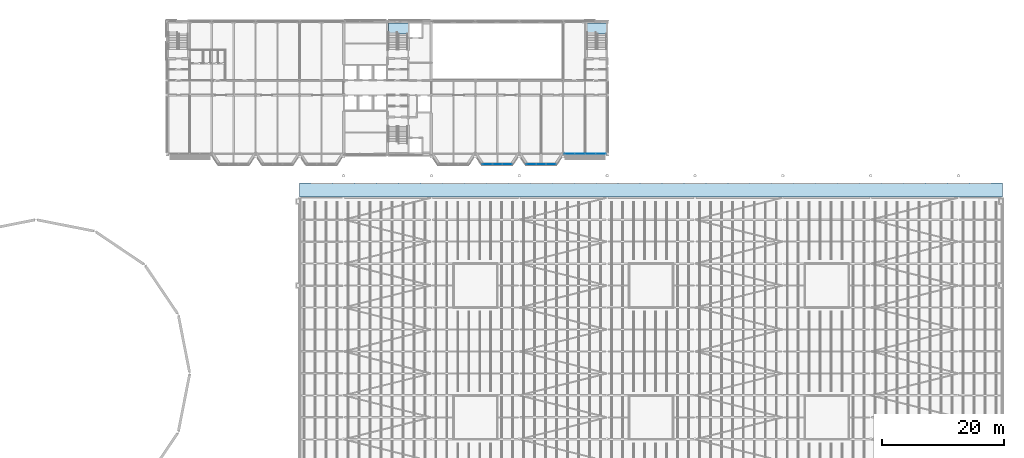
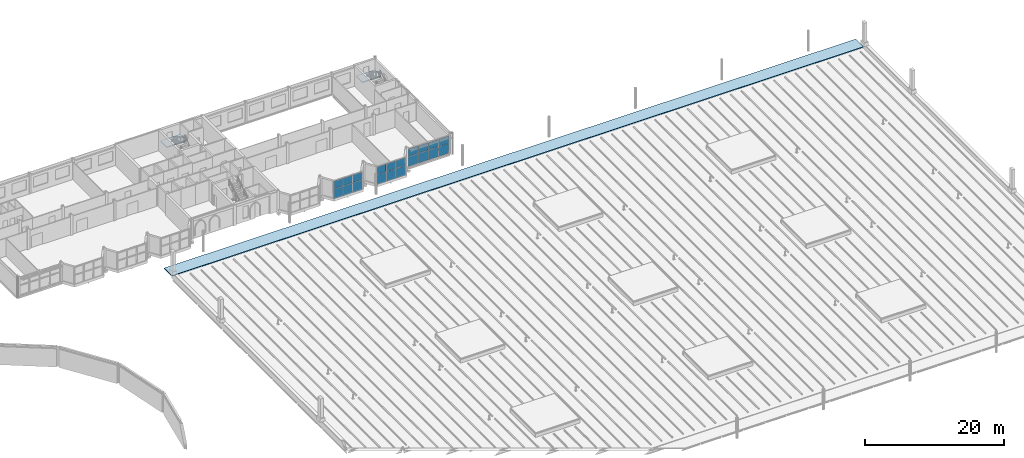
# One storey, part 59 of 120: 20 plates, 3 slabs, 5 elements without a shape of their own.
"""IFC4 building model written with IfcOpenShell, lengths in metres."""

import ifcopenshell
import ifcopenshell.guid

model = None  # the IFC model being written
_history = None  # IfcOwnerHistory: only IFC2X3 demands one
_inside = {}  # id of a spatial element -> (the spatial element, [elements in it])
_under = {}  # id of a project, library or spatial element -> (it, [spatial elements below it])
_declared = {}  # id of a project -> (the project, [libraries it declares])
_typed = {}  # id of a type object -> (the type object, [elements of that type])
_made_of = {}  # id of a material, layer set ... -> (it, [elements and type objects made of it])


def new_model(schema):
    """Start an empty IFC model of exactly this schema.

    Asked for "IFC4X3", IfcOpenShell would pick the latest addendum, in which some entities
    have other attributes; the version numbers below select the first issue.
    IFC2X3 requires an IfcOwnerHistory on every rooted entity: one is made here for all.
    """
    global model, _history
    if schema == "IFC4X3":
        model = ifcopenshell.file(schema_version=(4, 3, 0, 0))
    else:
        model = ifcopenshell.file(schema=schema)
    _inside.clear()
    _under.clear()
    _declared.clear()
    _typed.clear()
    _made_of.clear()
    _history = None
    if model.schema == "IFC2X3":
        org = make("IfcOrganization", Name="unknown")
        user = make(
            "IfcPersonAndOrganization",
            ThePerson=make("IfcPerson", FamilyName="unknown"),
            TheOrganization=org,
        )
        app = make(
            "IfcApplication",
            ApplicationDeveloper=org,
            Version="unknown",
            ApplicationFullName="unknown",
            ApplicationIdentifier="unknown",
        )
        _history = make(
            "IfcOwnerHistory",
            OwningUser=user,
            OwningApplication=app,
            ChangeAction="ADDED",
            CreationDate=0,
        )
    return model


def make(cls, **values):
    """One entity of the class cls with the attributes given. An attribute that is None is left unset."""
    return model.create_entity(
        cls, **{name: value for name, value in values.items() if value is not None}
    )


def rooted(cls, **values):
    """An entity with a GlobalId (a new one), such as an element, a storey or a relation."""
    return make(cls, GlobalId=ifcopenshell.guid.new(), OwnerHistory=_history, **values)


def si_unit(unit_type, name, prefix=None):
    """IfcSIUnit, for example si_unit("LENGTHUNIT", "METRE", prefix="MILLI")."""
    return make("IfcSIUnit", UnitType=unit_type, Prefix=prefix, Name=name)


def assignment(units):
    """IfcUnitAssignment: the units of a project."""
    return None if units is None else make("IfcUnitAssignment", Units=units)


def point(xyz):
    """IfcCartesianPoint."""
    return None if xyz is None else make("IfcCartesianPoint", Coordinates=xyz)


def direction(xyz):
    """IfcDirection."""
    return None if xyz is None else make("IfcDirection", DirectionRatios=xyz)


def frame(location, z_axis=None, x_axis=None):
    """IfcAxis2Placement3D, a coordinate frame: its origin and axes. An axis left out is left unset."""
    return make(
        "IfcAxis2Placement3D",
        Location=point(location),
        Axis=direction(z_axis),
        RefDirection=direction(x_axis),
    )


def frame_2d(location, x_axis=None):
    """IfcAxis2Placement2D, a coordinate frame in the plane: its origin and x axis."""
    return make(
        "IfcAxis2Placement2D", Location=point(location), RefDirection=direction(x_axis)
    )


def origin():
    """The frame at (0, 0, 0) with its axes left unset."""
    return frame((0.0, 0.0, 0.0))


def origin_2d():
    """The frame at (0, 0) in the plane with its x axis left unset."""
    return frame_2d((0.0, 0.0))


def place(relative_to, where):
    """IfcLocalPlacement: puts the frame where relative to a parent placement (None: the world)."""
    return make(
        "IfcLocalPlacement", PlacementRelTo=relative_to, RelativePlacement=where
    )


def context(
    kind, dimensions, precision=None, world=None, true_north=None, identifier=None
):
    """IfcGeometricRepresentationContext, for example the 3D "Model" context."""
    return make(
        "IfcGeometricRepresentationContext",
        ContextIdentifier=identifier,
        ContextType=kind,
        CoordinateSpaceDimension=dimensions,
        Precision=precision,
        WorldCoordinateSystem=world,
        TrueNorth=true_north,
    )


def subcontext(parent, identifier, kind, view, scale=None):
    """IfcGeometricRepresentationSubContext, for example "Body" below "Model"."""
    return make(
        "IfcGeometricRepresentationSubContext",
        ContextIdentifier=identifier,
        ContextType=kind,
        ParentContext=parent,
        TargetScale=scale,
        TargetView=view,
    )


def project(units=None, contexts=None):
    """IfcProject with its units and contexts."""
    return rooted(
        "IfcProject",
        Name="project",
        RepresentationContexts=contexts,
        UnitsInContext=assignment(units),
    )


def spatial(cls, under=None, at=None, **own):
    """A site, building, storey or space (cls), placed at a placement, below another one or the project."""
    s = rooted(cls, ObjectPlacement=at, **own)
    if under is not None:
        _under.setdefault(under.id(), (under, []))[1].append(s)
    return s


def polyline(points):
    """IfcPolyline through the points."""
    return make("IfcPolyline", Points=[point(p) for p in points])


def profile(cls, at=None, kind="AREA", **sizes):
    """A parametric profile (cls). Its sizes go by their IFC names, for example OverallWidth=200.0."""
    return make(cls, ProfileType=kind, Position=at, **sizes)


def rectangle(**sizes):
    """IfcRectangleProfileDef."""
    return profile("IfcRectangleProfileDef", **sizes)


def outline(outer, holes=None, kind="AREA"):
    """IfcArbitraryClosedProfileDef: a profile drawn as a closed curve; with holes, ...WithVoids."""
    if holes is None:
        return make("IfcArbitraryClosedProfileDef", ProfileType=kind, OuterCurve=outer)
    return make(
        "IfcArbitraryProfileDefWithVoids",
        ProfileType=kind,
        OuterCurve=outer,
        InnerCurves=holes,
    )


def extrude(swept, where, along, depth):
    """IfcExtrudedAreaSolid: the profile swept, set in the frame where, extruded along a direction by depth."""
    return make(
        "IfcExtrudedAreaSolid",
        SweptArea=swept,
        Position=where,
        ExtrudedDirection=direction(along),
        Depth=depth,
    )


def shape(context_of_items, identifier, shape_type, items):
    """IfcShapeRepresentation: the items that make up one representation, for example the "Body"."""
    return make(
        "IfcShapeRepresentation",
        ContextOfItems=context_of_items,
        RepresentationIdentifier=identifier,
        RepresentationType=shape_type,
        Items=items,
    )


def material(Name=None, Category=None):
    """IfcMaterial."""
    return make("IfcMaterial", Name=Name, Category=Category)


def layer(
    of_material, thickness, ventilated=None, Name=None, Category=None, Priority=None
):
    """IfcMaterialLayer: one layer of a wall or slab, of a material (None: an air gap)."""
    return make(
        "IfcMaterialLayer",
        Material=of_material,
        LayerThickness=thickness,
        IsVentilated=ventilated,
        Name=Name,
        Category=Category,
        Priority=Priority,
    )


def layer_set(layers, Name=None):
    """IfcMaterialLayerSet."""
    return make("IfcMaterialLayerSet", MaterialLayers=layers, LayerSetName=Name)


def made_of(thing, what):
    """Note that an element or type object is made of a material, layer set ...; save() writes the relation."""
    if what is not None:
        _made_of.setdefault(what.id(), (what, []))[1].append(thing)
    return thing


def type_object(cls, material=None, **own):
    """A type object (cls), such as IfcWallType, which elements share."""
    return made_of(rooted(cls, **own), material)


def element(
    cls,
    number,
    at=None,
    inside=None,
    cuts=None,
    type_object=None,
    material=None,
    context=None,
    identifier="Body",
    shape_type=None,
    held_by="IfcProductDefinitionShape",
    body=None,
    shapes=None,
    **own,
):
    """One element of the class cls, such as IfcWall. Its Tag is "e" and its number.

    at: its placement. inside: the storey or other place that contains it. cuts: it is an
    opening in that element (IfcRelVoidsElement). A single representation is given by context,
    identifier, shape_type and body (its items); several are given by shapes. held_by: the class
    of the entity that holds the representations. save() writes the other relations.
    """
    e = rooted(cls, Tag="e%d" % number, ObjectPlacement=at, **own)
    if body is not None:
        shapes = [shape(context, identifier, shape_type, body)]
    if shapes is not None:
        e.Representation = make(held_by, Representations=shapes)
    if inside is not None:
        _inside.setdefault(inside.id(), (inside, []))[1].append(e)
    if cuts is not None:
        rooted(
            "IfcRelVoidsElement", RelatingBuildingElement=cuts, RelatedOpeningElement=e
        )
    if type_object is not None:
        _typed.setdefault(type_object.id(), (type_object, []))[1].append(e)
    return made_of(e, material)


def aggregate(whole, parts):
    """IfcRelAggregates: a whole, such as a stair, and the parts it consists of."""
    return rooted("IfcRelAggregates", RelatingObject=whole, RelatedObjects=parts)


def save(model, path):
    """Write the relations noted so far, then the file.

    IfcRelAggregates (storeys below a building ...), IfcRelContainedInSpatialStructure (elements
    in a storey), IfcRelDefinesByType, IfcRelAssociatesMaterial and IfcRelDeclares: one each for
    every whole, place, type object, material and project.
    """
    for whole, parts in _under.values():
        aggregate(whole, parts)
    for where, things in _inside.values():
        rooted(
            "IfcRelContainedInSpatialStructure",
            RelatedElements=things,
            RelatingStructure=where,
        )
    for kind, things in _typed.values():
        rooted("IfcRelDefinesByType", RelatedObjects=things, RelatingType=kind)
    for what, things in _made_of.values():
        rooted("IfcRelAssociatesMaterial", RelatedObjects=things, RelatingMaterial=what)
    for by, libraries in _declared.values():
        rooted("IfcRelDeclares", RelatingContext=by, RelatedDefinitions=libraries)
    model.write(path)


model = new_model("IFC4")

# Units and contexts
model_context = context("Model", 3, precision=1e-05, world=origin(), true_north=direction((0.0, 1.0)))
body_context = subcontext(model_context, "Body", "Model", "MODEL_VIEW")
ifc_project = project(units=[si_unit("LENGTHUNIT", "METRE"), si_unit("AREAUNIT", "SQUARE_METRE"), si_unit("VOLUMEUNIT", "CUBIC_METRE"), si_unit("PLANEANGLEUNIT", "RADIAN"), si_unit("MASSUNIT", "GRAM", prefix="KILO")], contexts=[model_context])

# Site, building, storey
site_placement = place(None, origin())
site = spatial("IfcSite", under=ifc_project, at=site_placement, CompositionType="ELEMENT")
building_placement = place(site_placement, origin())
building = spatial("IfcBuilding", under=site, at=building_placement, Name="Kupolbacken Congress Centre", CompositionType="ELEMENT")
storey_placement = place(building_placement, frame((0.0, 0.0, 21.60009765625)))
storey = spatial("IfcBuildingStorey", under=building, at=storey_placement, Name="L06", CompositionType="ELEMENT", Elevation=21.60009765625)

# Curtain wall, plates
ifc_material_1 = material(Name="Aluminium mullion-transom frame with glass", Category="aluminium")
curtain_wall_type = type_object("IfcCurtainWallType", Name="CW1 curtain wall 7200x3600", PredefinedType="NOTDEFINED", material=ifc_material_1)
curtain_wall_1_placement = place(storey_placement, origin())
curtain_wall_1 = element("IfcCurtainWall", 1, at=curtain_wall_1_placement, inside=storey, type_object=curtain_wall_type, Name="E/T/S/L06/095/g0", PredefinedType="NOTDEFINED")
ifc_material_2 = material(Name="Glass", Category="glass")
ifc_layer_1 = layer(ifc_material_2, 0.035888671875)
ifc_layer_set_1 = layer_set([ifc_layer_1], Name="Glass")
plate_type = type_object("IfcPlateType", Name="GL2 glass panel 36", PredefinedType="CURTAIN_PANEL", material=ifc_layer_set_1)
plate_1_placement = place(storey_placement, frame((130.628173828125, 122.39990234375, 0.0498046875), z_axis=(0.0, 0.0, 1.0), x_axis=(1.0, 0.0, 0.0)))
plate_1 = element("IfcPlate", 2, at=plate_1_placement, type_object=plate_type, Name="CW1 panel 1.1", PredefinedType="CURTAIN_PANEL", context=body_context, shape_type="SweptSolid", body=[
    extrude(rectangle(XDim=1.649169921875, YDim=0.035888671875, at=origin_2d()), origin(), (0.0, 0.0, 1.0), 1.72509765625),
])
plate_2_placement = place(storey_placement, frame((130.628173828125, 122.39990234375, 1.82470703125), z_axis=(0.0, 0.0, 1.0), x_axis=(1.0, 0.0, 0.0)))
plate_2 = element("IfcPlate", 3, at=plate_2_placement, type_object=plate_type, Name="CW1 panel 1.2", PredefinedType="CURTAIN_PANEL", context=body_context, shape_type="SweptSolid", body=[
    extrude(rectangle(XDim=1.649169921875, YDim=0.035888671875, at=origin_2d()), origin(), (0.0, 0.0, 1.0), 1.284912109375),
])
plate_3_placement = place(storey_placement, frame((132.339599609375, 122.39990234375, 0.0498046875), z_axis=(0.0, 0.0, 1.0), x_axis=(1.0, 0.0, 0.0)))
plate_3 = element("IfcPlate", 4, at=plate_3_placement, type_object=plate_type, Name="CW1 panel 2.1", PredefinedType="CURTAIN_PANEL", context=body_context, shape_type="SweptSolid", body=[
    extrude(rectangle(XDim=1.674072265625, YDim=0.035888671875, at=origin_2d()), origin(), (0.0, 0.0, 1.0), 1.72509765625),
])
plate_4_placement = place(storey_placement, frame((132.339599609375, 122.39990234375, 1.82470703125), z_axis=(0.0, 0.0, 1.0), x_axis=(1.0, 0.0, 0.0)))
plate_4 = element("IfcPlate", 5, at=plate_4_placement, type_object=plate_type, Name="CW1 panel 2.2", PredefinedType="CURTAIN_PANEL", context=body_context, shape_type="SweptSolid", body=[
    extrude(rectangle(XDim=1.674072265625, YDim=0.035888671875, at=origin_2d()), origin(), (0.0, 0.0, 1.0), 1.284912109375),
])
plate_5_placement = place(storey_placement, frame((134.063720703125, 122.39990234375, 0.0498046875), z_axis=(0.0, 0.0, 1.0), x_axis=(1.0, 0.0, 0.0)))
plate_5 = element("IfcPlate", 6, at=plate_5_placement, type_object=plate_type, Name="CW1 panel 3.1", PredefinedType="CURTAIN_PANEL", context=body_context, shape_type="SweptSolid", body=[
    extrude(rectangle(XDim=1.674072265625, YDim=0.035888671875, at=origin_2d()), origin(), (0.0, 0.0, 1.0), 1.72509765625),
])
plate_6_placement = place(storey_placement, frame((134.063720703125, 122.39990234375, 1.82470703125), z_axis=(0.0, 0.0, 1.0), x_axis=(1.0, 0.0, 0.0)))
plate_6 = element("IfcPlate", 7, at=plate_6_placement, type_object=plate_type, Name="CW1 panel 3.2", PredefinedType="CURTAIN_PANEL", context=body_context, shape_type="SweptSolid", body=[
    extrude(rectangle(XDim=1.674072265625, YDim=0.035888671875, at=origin_2d()), origin(), (0.0, 0.0, 1.0), 1.284912109375),
])
plate_7_placement = place(storey_placement, frame((135.775390625, 122.39990234375, 0.0498046875), z_axis=(0.0, 0.0, 1.0), x_axis=(1.0, 0.0, 0.0)))
plate_7 = element("IfcPlate", 8, at=plate_7_placement, type_object=plate_type, Name="CW1 panel 4.1", PredefinedType="CURTAIN_PANEL", context=body_context, shape_type="SweptSolid", body=[
    extrude(rectangle(XDim=1.649169921875, YDim=0.035888671875, at=origin_2d()), origin(), (0.0, 0.0, 1.0), 1.72509765625),
])
plate_8_placement = place(storey_placement, frame((135.775390625, 122.39990234375, 1.82470703125), z_axis=(0.0, 0.0, 1.0), x_axis=(1.0, 0.0, 0.0)))
plate_8 = element("IfcPlate", 9, at=plate_8_placement, type_object=plate_type, Name="CW1 panel 4.2", PredefinedType="CURTAIN_PANEL", context=body_context, shape_type="SweptSolid", body=[
    extrude(rectangle(XDim=1.649169921875, YDim=0.035888671875, at=origin_2d()), origin(), (0.0, 0.0, 1.0), 1.284912109375),
])
aggregate(curtain_wall_1, [plate_1, plate_2, plate_3, plate_4, plate_5, plate_6, plate_7, plate_8])

curtain_wall_2_placement = place(storey_placement, origin())
curtain_wall_2 = element("IfcCurtainWall", 10, at=curtain_wall_2_placement, inside=storey, type_object=curtain_wall_type, Name="E/T/cumba/L06/S/018/cw", PredefinedType="NOTDEFINED")
plate_9_placement = place(storey_placement, frame((117.21240234375, 120.699951171875, 0.0498046875), z_axis=(0.0, 0.0, 1.0), x_axis=(1.0, 0.0, 0.0)))
plate_9 = element("IfcPlate", 11, at=plate_9_placement, type_object=plate_type, Name="CW1 panel 1.1", PredefinedType="CURTAIN_PANEL", context=body_context, shape_type="SweptSolid", body=[
    extrude(rectangle(XDim=1.52490234375, YDim=0.035888671875, at=origin_2d()), origin(), (0.0, 0.0, 1.0), 1.72509765625),
])
plate_10_placement = place(storey_placement, frame((117.21240234375, 120.699951171875, 1.82470703125), z_axis=(0.0, 0.0, 1.0), x_axis=(1.0, 0.0, 0.0)))
plate_10 = element("IfcPlate", 12, at=plate_10_placement, type_object=plate_type, Name="CW1 panel 1.2", PredefinedType="CURTAIN_PANEL", context=body_context, shape_type="SweptSolid", body=[
    extrude(rectangle(XDim=1.52490234375, YDim=0.035888671875, at=origin_2d()), origin(), (0.0, 0.0, 1.0), 1.344970703125),
])
plate_11_placement = place(storey_placement, frame((118.800048828125, 120.699951171875, 0.0498046875), z_axis=(0.0, 0.0, 1.0), x_axis=(1.0, 0.0, 0.0)))
plate_11 = element("IfcPlate", 13, at=plate_11_placement, type_object=plate_type, Name="CW1 panel 2.1", PredefinedType="CURTAIN_PANEL", context=body_context, shape_type="SweptSolid", body=[
    extrude(rectangle(XDim=1.550048828125, YDim=0.035888671875, at=origin_2d()), origin(), (0.0, 0.0, 1.0), 1.72509765625),
])
plate_12_placement = place(storey_placement, frame((118.800048828125, 120.699951171875, 1.82470703125), z_axis=(0.0, 0.0, 1.0), x_axis=(1.0, 0.0, 0.0)))
plate_12 = element("IfcPlate", 14, at=plate_12_placement, type_object=plate_type, Name="CW1 panel 2.2", PredefinedType="CURTAIN_PANEL", context=body_context, shape_type="SweptSolid", body=[
    extrude(rectangle(XDim=1.550048828125, YDim=0.035888671875, at=origin_2d()), origin(), (0.0, 0.0, 1.0), 1.344970703125),
])
plate_13_placement = place(storey_placement, frame((120.387451171875, 120.699951171875, 0.0498046875), z_axis=(0.0, 0.0, 1.0), x_axis=(1.0, 0.0, 0.0)))
plate_13 = element("IfcPlate", 15, at=plate_13_placement, type_object=plate_type, Name="CW1 panel 3.1", PredefinedType="CURTAIN_PANEL", context=body_context, shape_type="SweptSolid", body=[
    extrude(rectangle(XDim=1.52490234375, YDim=0.035888671875, at=origin_2d()), origin(), (0.0, 0.0, 1.0), 1.72509765625),
])
plate_14_placement = place(storey_placement, frame((120.387451171875, 120.699951171875, 1.82470703125), z_axis=(0.0, 0.0, 1.0), x_axis=(1.0, 0.0, 0.0)))
plate_14 = element("IfcPlate", 16, at=plate_14_placement, type_object=plate_type, Name="CW1 panel 3.2", PredefinedType="CURTAIN_PANEL", context=body_context, shape_type="SweptSolid", body=[
    extrude(rectangle(XDim=1.52490234375, YDim=0.035888671875, at=origin_2d()), origin(), (0.0, 0.0, 1.0), 1.344970703125),
])
aggregate(curtain_wall_2, [plate_9, plate_10, plate_11, plate_12, plate_13, plate_14])

curtain_wall_3_placement = place(storey_placement, origin())
curtain_wall_3 = element("IfcCurtainWall", 17, at=curtain_wall_3_placement, inside=storey, type_object=curtain_wall_type, Name="E/T/cumba/L06/S/022/cw", PredefinedType="NOTDEFINED")
plate_15_placement = place(storey_placement, frame((124.41259765625, 120.699951171875, 0.0498046875), z_axis=(0.0, 0.0, 1.0), x_axis=(1.0, 0.0, 0.0)))
plate_15 = element("IfcPlate", 18, at=plate_15_placement, type_object=plate_type, Name="CW1 panel 1.1", PredefinedType="CURTAIN_PANEL", context=body_context, shape_type="SweptSolid", body=[
    extrude(rectangle(XDim=1.52490234375, YDim=0.035888671875, at=origin_2d()), origin(), (0.0, 0.0, 1.0), 1.72509765625),
])
plate_16_placement = place(storey_placement, frame((124.41259765625, 120.699951171875, 1.82470703125), z_axis=(0.0, 0.0, 1.0), x_axis=(1.0, 0.0, 0.0)))
plate_16 = element("IfcPlate", 19, at=plate_16_placement, type_object=plate_type, Name="CW1 panel 1.2", PredefinedType="CURTAIN_PANEL", context=body_context, shape_type="SweptSolid", body=[
    extrude(rectangle(XDim=1.52490234375, YDim=0.035888671875, at=origin_2d()), origin(), (0.0, 0.0, 1.0), 1.344970703125),
])
plate_17_placement = place(storey_placement, frame((126.0, 120.699951171875, 0.0498046875), z_axis=(0.0, 0.0, 1.0), x_axis=(1.0, 0.0, 0.0)))
plate_17 = element("IfcPlate", 20, at=plate_17_placement, type_object=plate_type, Name="CW1 panel 2.1", PredefinedType="CURTAIN_PANEL", context=body_context, shape_type="SweptSolid", body=[
    extrude(rectangle(XDim=1.550048828125, YDim=0.035888671875, at=origin_2d()), origin(), (0.0, 0.0, 1.0), 1.72509765625),
])
plate_18_placement = place(storey_placement, frame((126.0, 120.699951171875, 1.82470703125), z_axis=(0.0, 0.0, 1.0), x_axis=(1.0, 0.0, 0.0)))
plate_18 = element("IfcPlate", 21, at=plate_18_placement, type_object=plate_type, Name="CW1 panel 2.2", PredefinedType="CURTAIN_PANEL", context=body_context, shape_type="SweptSolid", body=[
    extrude(rectangle(XDim=1.550048828125, YDim=0.035888671875, at=origin_2d()), origin(), (0.0, 0.0, 1.0), 1.344970703125),
])
plate_19_placement = place(storey_placement, frame((127.58740234375, 120.699951171875, 0.0498046875), z_axis=(0.0, 0.0, 1.0), x_axis=(1.0, 0.0, 0.0)))
plate_19 = element("IfcPlate", 22, at=plate_19_placement, type_object=plate_type, Name="CW1 panel 3.1", PredefinedType="CURTAIN_PANEL", context=body_context, shape_type="SweptSolid", body=[
    extrude(rectangle(XDim=1.52490234375, YDim=0.035888671875, at=origin_2d()), origin(), (0.0, 0.0, 1.0), 1.72509765625),
])
plate_20_placement = place(storey_placement, frame((127.58740234375, 120.699951171875, 1.82470703125), z_axis=(0.0, 0.0, 1.0), x_axis=(1.0, 0.0, 0.0)))
plate_20 = element("IfcPlate", 23, at=plate_20_placement, type_object=plate_type, Name="CW1 panel 3.2", PredefinedType="CURTAIN_PANEL", context=body_context, shape_type="SweptSolid", body=[
    extrude(rectangle(XDim=1.52490234375, YDim=0.035888671875, at=origin_2d()), origin(), (0.0, 0.0, 1.0), 1.344970703125),
])
aggregate(curtain_wall_3, [plate_15, plate_16, plate_17, plate_18, plate_19, plate_20])

# Slab
ifc_material_3 = material(Name="Concrete C30/37", Category="concrete")
ifc_layer_2 = layer(ifc_material_3, 0.06005859375)
ifc_material_4 = material(Name="Steel S350 profiled deck", Category="steel")
ifc_layer_3 = layer(ifc_material_4, 0.06005859375)
ifc_layer_set_2 = layer_set([ifc_layer_2, ifc_layer_3], Name="Concrete C30/37 / Steel S350 profiled deck")
slab_type_1 = type_object("IfcSlabType", Name="RS1 slab 120", PredefinedType="ROOF", material=ifc_layer_set_2)
slab_1_placement = place(storey_placement, frame((0.0, 0.0, 0.169921875)))
element("IfcSlab", 24, at=slab_1_placement, inside=storey, type_object=slab_type_1, Name="HE/Nslab", PredefinedType="ROOF", context=body_context, shape_type="SweptSolid", body=[
    extrude(outline(polyline([(86.39990234375, 115.35009765625), (201.60009765625, 115.35009765625), (201.60009765625, 117.60009765625), (86.39990234375, 117.60009765625), (86.39990234375, 115.35009765625)])), origin(), (0.0, 0.0, 1.0), 0.119873046875),
])

# Stair, slab
ifc_material_5 = material(Name="Steel S355", Category="steel")
stair_type = type_object("IfcStairType", Name="ST2 stair 1500", PredefinedType="TWO_STRAIGHT_RUN_STAIR", material=ifc_material_5)
stair_1_placement = place(storey_placement, origin())
stair_1 = element("IfcStair", 25, at=stair_1_placement, inside=storey, type_object=stair_type, Name="C/stair/TS2/L06", PredefinedType="NOTDEFINED")
ifc_material_6 = material(Name="Concrete C30/37 precast", Category="concrete")
ifc_layer_4 = layer(ifc_material_6, 0.175048828125)
ifc_layer_set_3 = layer_set([ifc_layer_4], Name="Concrete C30/37 precast")
slab_type_2 = type_object("IfcSlabType", Name="SL1 slab 175", PredefinedType="LANDING", material=ifc_layer_set_3)
slab_2_placement = place(storey_placement, frame((0.0, 0.0, 1.539306640625)))
slab_2 = element("IfcSlab", 26, at=slab_2_placement, type_object=slab_type_2, Name="TS2 landing 1", PredefinedType="LANDING", context=body_context, shape_type="SweptSolid", body=[
    extrude(outline(polyline([(100.955078125, 142.02001953125), (104.219970703125, 142.02001953125), (104.219970703125, 143.844970703125), (100.955078125, 143.844970703125), (100.955078125, 142.02001953125)])), origin(), (0.0, 0.0, 1.0), 0.1748046875),
])
aggregate(stair_1, [slab_2])

stair_2_placement = place(storey_placement, origin())
stair_2 = element("IfcStair", 27, at=stair_2_placement, inside=storey, type_object=stair_type, Name="C/stair/TS4/L06", PredefinedType="NOTDEFINED")
slab_3_placement = place(storey_placement, frame((0.0, 0.0, 1.539306640625)))
slab_3 = element("IfcSlab", 28, at=slab_3_placement, type_object=slab_type_2, Name="TS4 landing 1", PredefinedType="LANDING", context=body_context, shape_type="SweptSolid", body=[
    extrude(outline(polyline([(133.530029296875, 142.044921875), (136.669921875, 142.044921875), (136.669921875, 143.8701171875), (133.530029296875, 143.8701171875), (133.530029296875, 142.044921875)])), origin(), (0.0, 0.0, 1.0), 0.1748046875),
])
aggregate(stair_2, [slab_3])

save(model, "model.ifc")
